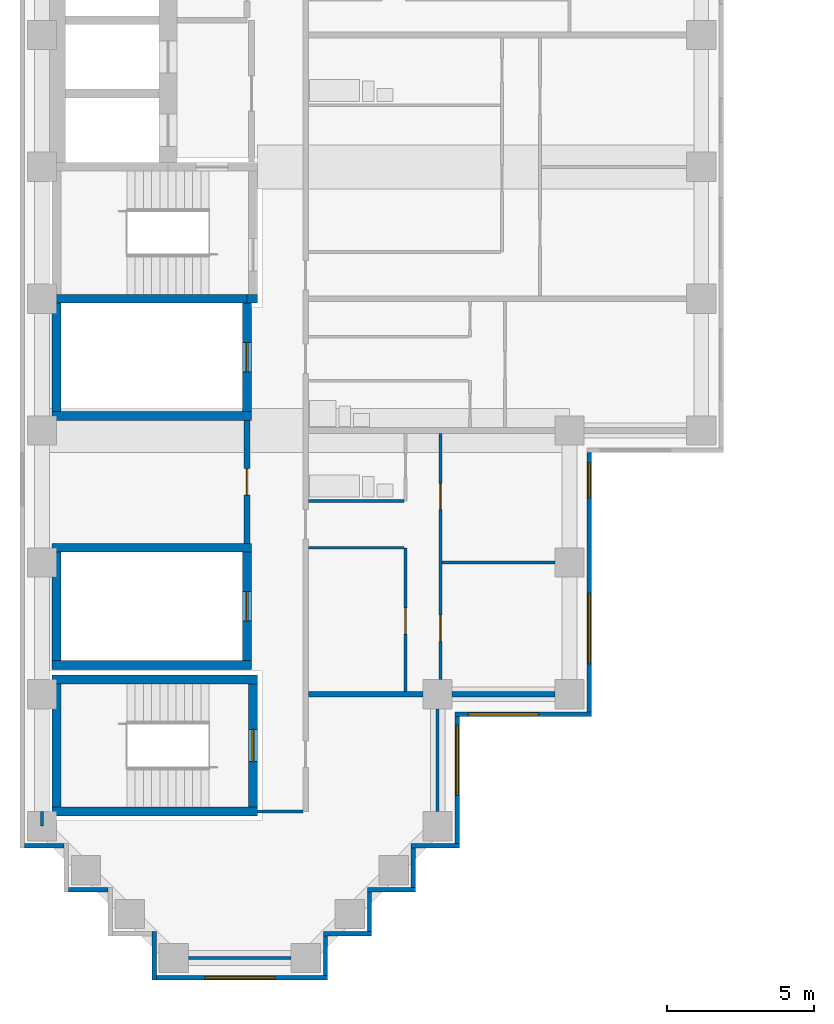
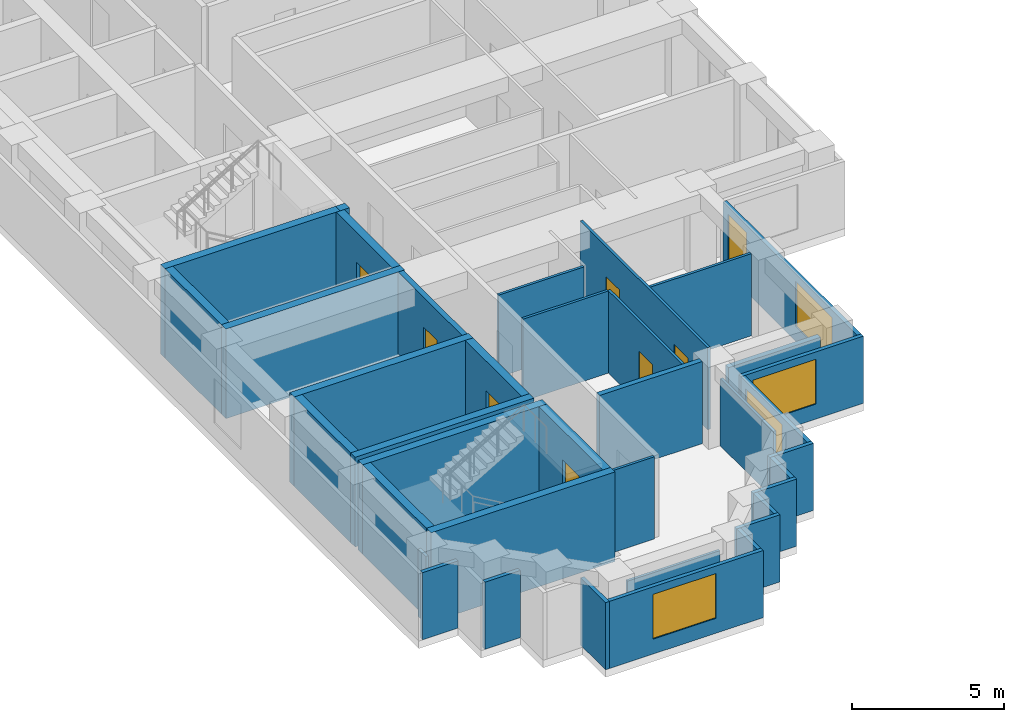
# One storey, part 2 of 12: 38 walls, 7 doors, 5 windows, 12 openings.
"""IFC4 building model written with IfcOpenShell, lengths in metres."""

from ifc_helpers import new_model, si_unit, direction, frame, frame_2d, origin, place, context, subcontext, project, spatial, rectangle, extrude, material, layer, layer_set, type_object, element, fill, save


model = new_model("IFC4")

# Units and contexts
model_context = context("Model", 3, precision=1e-05, world=origin(), true_north=direction((0.0, 1.0)))
body_context = subcontext(model_context, "Body", "Model", "MODEL_VIEW")
ifc_project = project(units=[si_unit("LENGTHUNIT", "METRE"), si_unit("AREAUNIT", "SQUARE_METRE"), si_unit("VOLUMEUNIT", "CUBIC_METRE"), si_unit("PLANEANGLEUNIT", "RADIAN"), si_unit("MASSUNIT", "GRAM", prefix="KILO")], contexts=[model_context])

# Site, building, storey
site_placement = place(None, origin())
site = spatial("IfcSite", under=ifc_project, at=site_placement, CompositionType="ELEMENT")
building_placement = place(site_placement, origin())
building = spatial("IfcBuilding", under=site, at=building_placement, Name="Firuza Court", CompositionType="ELEMENT")
storey_placement = place(building_placement, frame((0.0, 0.0, 123.199951171875)))
storey = spatial("IfcBuildingStorey", under=building, at=storey_placement, Name="L30", CompositionType="ELEMENT", Elevation=123.199951171875)

# Walls
ifc_material_1 = material(Name="Moisture-resistant gypsum board partition")
ifc_layer_1 = layer(ifc_material_1, 0.10009765625)
ifc_layer_set_1 = layer_set([ifc_layer_1], Name="Moisture-resistant gypsum board partition")
wall_type_1 = type_object("IfcWallType", Name="Bathroom partition 100", PredefinedType="PLUMBINGWALL", material=ifc_layer_set_1)
wall_1_placement = place(storey_placement, frame((9.10009765625, 15.60009765625, 0.0), z_axis=(0.0, 0.0, 1.0), x_axis=(1.0, 0.0, 0.0)))
element("IfcWall", 1, at=wall_1_placement, inside=storey, type_object=wall_type_1, Name="Bathroom partition 100 L30", PredefinedType="PLUMBINGWALL", context=body_context, shape_type="SweptSolid", body=[
    extrude(rectangle(XDim=3.25, YDim=0.10009765625, at=frame_2d((1.625, 0.0))), origin(), (0.0, 0.0, 1.0), 3.300048828125),
])
ifc_material_2 = material(Name="Concrete C60/75", Category="concrete")
ifc_layer_2 = layer(ifc_material_2, 0.300048828125)
ifc_layer_set_2 = layer_set([ifc_layer_2], Name="Concrete C60/75")
wall_type_2 = type_object("IfcWallType", Name="Core wall 300 C60/75", PredefinedType="SHEAR", material=ifc_layer_set_2)
for number, where, z_axis, x_axis, name in (
    (2, (0.35009765625, 5.0, -0.300048828125), (0.0, 0.0, 1.0), (1.0, 0.0, 0.0), "Core wall stair L30"),
    (3, (0.35009765625, 9.5, -0.300048828125), (0.0, 0.0, 1.0), (1.0, 0.0, 0.0), "Core wall stair L30"),
):
    element("IfcWall", number, at=place(storey_placement, frame(where, z_axis=z_axis, x_axis=x_axis)), inside=storey, type_object=wall_type_2, Name=name, PredefinedType="SHEAR", context=body_context, shape_type="SweptSolid", body=[
        extrude(rectangle(XDim=7.0, YDim=0.300048828125, at=frame_2d((3.5, 0.0))), origin(), (0.0, 0.0, 1.0), 3.60009765625),
    ])
for number, where, z_axis, x_axis, name in (
    (4, (0.35009765625, 10.0, -0.300048828125), (0.0, 0.0, 1.0), (1.0, 0.0, 0.0), "Core wall riser L30"),
    (5, (0.35009765625, 14.0, -0.300048828125), (0.0, 0.0, 1.0), (1.0, 0.0, 0.0), "Core wall riser L30"),
    (6, (0.35009765625, 18.5, -0.300048828125), (0.0, 0.0, 1.0), (1.0, 0.0, 0.0), "Core wall riser L30"),
):
    element("IfcWall", number, at=place(storey_placement, frame(where, z_axis=z_axis, x_axis=x_axis)), inside=storey, type_object=wall_type_2, Name=name, PredefinedType="SHEAR", context=body_context, shape_type="SweptSolid", body=[
        extrude(rectangle(XDim=6.7998046875, YDim=0.300048828125, at=frame_2d((3.39990234375, 0.0))), origin(), (0.0, 0.0, 1.0), 3.60009765625),
    ])
wall_2_placement = place(storey_placement, frame((0.35009765625, 22.5, -0.300048828125), z_axis=(0.0, 0.0, 1.0), x_axis=(1.0, 0.0, 0.0)))
element("IfcWall", 7, at=wall_2_placement, inside=storey, type_object=wall_type_2, Name="Core wall riser L30", PredefinedType="SHEAR", context=body_context, shape_type="SweptSolid", body=[
    extrude(rectangle(XDim=6.64990234375, YDim=0.300048828125, at=frame_2d((3.324951171875, 0.0))), origin(), (0.0, 0.0, 1.0), 3.60009765625),
])
wall_3_placement = place(storey_placement, frame((0.5, 5.14990234375, -0.300048828125), z_axis=(0.0, 0.0, 1.0), x_axis=(0.0, 1.0, 0.0)))
element("IfcWall", 8, at=wall_3_placement, inside=storey, type_object=wall_type_2, Name="Core wall stair L30", PredefinedType="SHEAR", context=body_context, shape_type="SweptSolid", body=[
    extrude(rectangle(XDim=4.2001953125, YDim=0.300048828125, at=frame_2d((2.10009765625, 0.0))), origin(), (0.0, 0.0, 1.0), 3.60009765625),
])
for number, where, z_axis, x_axis, name in (
    (9, (0.5, 10.14990234375, -0.300048828125), (0.0, 0.0, 1.0), (0.0, 1.0, 0.0), "Core wall riser L30"),
    (10, (0.5, 18.64990234375, -0.300048828125), (0.0, 0.0, 1.0), (0.0, 1.0, 0.0), "Core wall riser L30"),
):
    element("IfcWall", number, at=place(storey_placement, frame(where, z_axis=z_axis, x_axis=x_axis)), inside=storey, type_object=wall_type_2, Name=name, PredefinedType="SHEAR", context=body_context, shape_type="SweptSolid", body=[
        extrude(rectangle(XDim=3.7001953125, YDim=0.300048828125, at=frame_2d((1.85009765625, 0.0))), origin(), (0.0, 0.0, 1.0), 3.60009765625),
    ])

# Wall, opening, door
wall_4_placement = place(storey_placement, frame((7.0, 10.14990234375, -0.300048828125), z_axis=(0.0, 0.0, 1.0), x_axis=(0.0, 1.0, 0.0)))
wall_4 = element("IfcWall", 11, at=wall_4_placement, inside=storey, type_object=wall_type_2, Name="Core wall riser L30", PredefinedType="SHEAR", context=body_context, shape_type="SweptSolid", body=[
    extrude(rectangle(XDim=3.7001953125, YDim=0.300048828125, at=frame_2d((1.85009765625, 0.0))), origin(), (0.0, 0.0, 1.0), 3.60009765625),
])
opening_1_placement = place(wall_4_placement, frame((1.35009765625, 0.0, 0.300048828125)))
opening_1 = element("IfcOpeningElement", 12, at=opening_1_placement, cuts=wall_4, Name="Opening D30011", PredefinedType="OPENING", context=body_context, shape_type="SweptSolid", body=[
    extrude(rectangle(XDim=1.0, YDim=2.10009765625, at=frame_2d((0.5, 1.050048828125))), frame((0.0, 0.162109375, 0.0), z_axis=(0.0, -1.0, 0.0), x_axis=(1.0, 0.0, 0.0)), (0.0, 0.0, 1.0), 0.323974609375),
])
ifc_material_3 = material(Name="Timber door leaf in hardwood frame", Category="wood")
door_type_1 = type_object("IfcDoorType", Name="Riser door 1000", OperationType="SINGLE_SWING_LEFT", PredefinedType="DOOR", material=ifc_material_3)
door_1_placement = place(opening_1_placement, origin())
door_1 = element("IfcDoor", 13, at=door_1_placement, inside=storey, type_object=door_type_1, Name="Riser door R4", OperationType="SINGLE_SWING_LEFT", OverallHeight=2.10009765625, OverallWidth=1.0, PredefinedType="DOOR", context=body_context, shape_type="SweptSolid", body=[
    extrude(rectangle(XDim=1.0, YDim=2.10009765625, at=frame_2d((0.5, 1.050048828125))), frame((0.0, 0.02490234375, 0.0), z_axis=(0.0, -1.0, 0.0), x_axis=(1.0, 0.0, 0.0)), (0.0, 0.0, 1.0), 0.050048828125),
])
fill(opening_1, door_1)

wall_5_placement = place(storey_placement, frame((7.0, 18.64990234375, -0.300048828125), z_axis=(0.0, 0.0, 1.0), x_axis=(0.0, 1.0, 0.0)))
wall_5 = element("IfcWall", 14, at=wall_5_placement, inside=storey, type_object=wall_type_2, Name="Core wall riser L30", PredefinedType="SHEAR", context=body_context, shape_type="SweptSolid", body=[
    extrude(rectangle(XDim=3.7001953125, YDim=0.300048828125, at=frame_2d((1.85009765625, 0.0))), origin(), (0.0, 0.0, 1.0), 3.60009765625),
])
opening_2_placement = place(wall_5_placement, frame((1.35009765625, 0.0, 0.300048828125)))
opening_2 = element("IfcOpeningElement", 15, at=opening_2_placement, cuts=wall_5, Name="Opening D30009", PredefinedType="OPENING", context=body_context, shape_type="SweptSolid", body=[
    extrude(rectangle(XDim=1.0, YDim=2.10009765625, at=frame_2d((0.5, 1.050048828125))), frame((0.0, 0.162109375, 0.0), z_axis=(0.0, -1.0, 0.0), x_axis=(1.0, 0.0, 0.0)), (0.0, 0.0, 1.0), 0.323974609375),
])
door_2_placement = place(opening_2_placement, origin())
door_2 = element("IfcDoor", 16, at=door_2_placement, inside=storey, type_object=door_type_1, Name="Riser door R1", OperationType="SINGLE_SWING_LEFT", OverallHeight=2.10009765625, OverallWidth=1.0, PredefinedType="DOOR", context=body_context, shape_type="SweptSolid", body=[
    extrude(rectangle(XDim=1.0, YDim=2.10009765625, at=frame_2d((0.5, 1.050048828125))), frame((0.0, 0.02490234375, 0.0), z_axis=(0.0, -1.0, 0.0), x_axis=(1.0, 0.0, 0.0)), (0.0, 0.0, 1.0), 0.050048828125),
])
fill(opening_2, door_2)

# Wall
wall_6_placement = place(storey_placement, frame((7.0, 22.5, -0.300048828125), z_axis=(0.0, 0.0, 1.0), x_axis=(1.0, 0.0, 0.0)))
element("IfcWall", 17, at=wall_6_placement, inside=storey, type_object=wall_type_2, Name="Core wall stair L30", PredefinedType="SHEAR", context=body_context, shape_type="SweptSolid", body=[
    extrude(rectangle(XDim=0.35009765625, YDim=0.300048828125, at=frame_2d((0.175048828125, 0.0))), origin(), (0.0, 0.0, 1.0), 3.60009765625),
])

# Wall, opening, door
wall_7_placement = place(storey_placement, frame((7.199951171875, 5.14990234375, -0.300048828125), z_axis=(0.0, 0.0, 1.0), x_axis=(0.0, 1.0, 0.0)))
wall_7 = element("IfcWall", 18, at=wall_7_placement, inside=storey, type_object=wall_type_2, Name="Core wall stair L30", PredefinedType="SHEAR", context=body_context, shape_type="SweptSolid", body=[
    extrude(rectangle(XDim=4.2001953125, YDim=0.300048828125, at=frame_2d((2.10009765625, 0.0))), origin(), (0.0, 0.0, 1.0), 3.60009765625),
])
opening_3_placement = place(wall_7_placement, frame((1.550048828125, 0.0, 0.300048828125)))
opening_3 = element("IfcOpeningElement", 19, at=opening_3_placement, cuts=wall_7, Name="Opening D30017", PredefinedType="OPENING", context=body_context, shape_type="SweptSolid", body=[
    extrude(rectangle(XDim=1.10009765625, YDim=2.10009765625, at=frame_2d((0.550048828125, 1.050048828125))), frame((0.0, 0.162109375, 0.0), z_axis=(0.0, -1.0, 0.0), x_axis=(1.0, 0.0, 0.0)), (0.0, 0.0, 1.0), 0.323974609375),
])
ifc_material_4 = material(Name="Timber door leaf in hardwood frame", Category="wood")
door_type_2 = type_object("IfcDoorType", Name="Stair door 1100", OperationType="SINGLE_SWING_LEFT", PredefinedType="DOOR", material=ifc_material_4)
door_3_placement = place(opening_3_placement, origin())
door_3 = element("IfcDoor", 20, at=door_3_placement, inside=storey, type_object=door_type_2, Name="Stair door S5", OperationType="SINGLE_SWING_LEFT", OverallHeight=2.10009765625, OverallWidth=1.10009765625, PredefinedType="DOOR", context=body_context, shape_type="SweptSolid", body=[
    extrude(rectangle(XDim=1.10009765625, YDim=2.10009765625, at=frame_2d((0.550048828125, 1.050048828125))), frame((0.0, 0.02490234375, 0.0), z_axis=(0.0, -1.0, 0.0), x_axis=(1.0, 0.0, 0.0)), (0.0, 0.0, 1.0), 0.050048828125),
])
fill(opening_3, door_3)

ifc_material_5 = material(Name="Blockwork, plastered both sides", Category="masonry")
ifc_layer_3 = layer(ifc_material_5, 0.199951171875)
ifc_layer_set_3 = layer_set([ifc_layer_3], Name="Blockwork, plastered both sides")
wall_type_3 = type_object("IfcWallType", Name="Corridor wall 200", PredefinedType="PARTITIONING", material=ifc_layer_set_3)
wall_8_placement = place(storey_placement, frame((7.0, 14.14990234375, 0.0), z_axis=(0.0, 0.0, 1.0), x_axis=(0.0, 1.0, 0.0)))
wall_8 = element("IfcWall", 21, at=wall_8_placement, inside=storey, type_object=wall_type_3, Name="Corridor wall 200 L30", PredefinedType="PARTITIONING", context=body_context, shape_type="SweptSolid", body=[
    extrude(rectangle(XDim=4.2001953125, YDim=0.199951171875, at=frame_2d((2.10009765625, 0.0))), origin(), (0.0, 0.0, 1.0), 3.300048828125),
])
opening_4_placement = place(wall_8_placement, frame((1.64990234375, 0.0, 0.0)))
opening_4 = element("IfcOpeningElement", 22, at=opening_4_placement, cuts=wall_8, Name="Opening D30025", PredefinedType="OPENING", context=body_context, shape_type="SweptSolid", body=[
    extrude(rectangle(XDim=0.89990234375, YDim=2.10009765625, at=frame_2d((0.449951171875, 1.050048828125))), frame((0.0, 0.11181640625, 0.0), z_axis=(0.0, -1.0, 0.0), x_axis=(1.0, 0.0, 0.0)), (0.0, 0.0, 1.0), 0.223876953125),
])
ifc_material_6 = material(Name="Timber door leaf in hardwood frame", Category="wood")
door_type_3 = type_object("IfcDoorType", Name="Room door 900 EI 30", OperationType="SINGLE_SWING_LEFT", PredefinedType="DOOR", material=ifc_material_6)
door_4_placement = place(opening_4_placement, origin())
door_4 = element("IfcDoor", 23, at=door_4_placement, inside=storey, type_object=door_type_3, Name="Meeting room door", OperationType="SINGLE_SWING_LEFT", OverallHeight=2.10009765625, OverallWidth=0.89990234375, PredefinedType="DOOR", context=body_context, shape_type="SweptSolid", body=[
    extrude(rectangle(XDim=0.89990234375, YDim=2.10009765625, at=frame_2d((0.449951171875, 1.050048828125))), frame((0.0, 0.02490234375, 0.0), z_axis=(0.0, -1.0, 0.0), x_axis=(1.0, 0.0, 0.0)), (0.0, 0.0, 1.0), 0.050048828125),
])
fill(opening_4, door_4)

# Walls
ifc_material_7 = material(Name="Timber stud partition, plasterboard both sides", Category="wood")
ifc_layer_4 = layer(ifc_material_7, 0.10009765625)
ifc_layer_set_4 = layer_set([ifc_layer_4], Name="Timber stud partition, plasterboard both sides")
wall_type_4 = type_object("IfcWallType", Name="Partition wall 100", PredefinedType="PARTITIONING", material=ifc_layer_set_4)
wall_9_placement = place(storey_placement, frame((5.0, 0.0, 0.0), z_axis=(0.0, 0.0, 1.0), x_axis=(1.0, 0.0, 0.0)))
element("IfcWall", 24, at=wall_9_placement, inside=storey, type_object=wall_type_4, Name="Partition wall 100 L30", PredefinedType="PARTITIONING", context=body_context, shape_type="SweptSolid", body=[
    extrude(rectangle(XDim=3.5, YDim=0.10009765625, at=frame_2d((1.75, 0.0))), origin(), (0.0, 0.0, 1.0), 2.699951171875),
])
wall_10_placement = place(storey_placement, frame((0.0, 4.5, 0.0), z_axis=(0.0, 0.0, 1.0), x_axis=(0.0, 1.0, 0.0)))
element("IfcWall", 25, at=wall_10_placement, inside=storey, type_object=wall_type_4, Name="Partition wall 100 L30", PredefinedType="PARTITIONING", context=body_context, shape_type="SweptSolid", body=[
    extrude(rectangle(XDim=0.5, YDim=0.10009765625, at=frame_2d((0.25, 0.0))), origin(), (0.0, 0.0, 1.0), 2.699951171875),
])
wall_11_placement = place(storey_placement, frame((7.34912109375, 5.0, 0.0), z_axis=(0.0, 0.0, 1.0), x_axis=(1.0, 0.0, 0.0)))
element("IfcWall", 26, at=wall_11_placement, inside=storey, type_object=wall_type_4, Name="Partition wall 100 L30", PredefinedType="PARTITIONING", context=body_context, shape_type="SweptSolid", body=[
    extrude(rectangle(XDim=1.55078125, YDim=0.10009765625, at=frame_2d((0.775390625, 0.0))), origin(), (0.0, 0.0, 1.0), 3.300048828125),
])
wall_12_placement = place(storey_placement, frame((13.5, 5.0, 0.0), z_axis=(0.0, 0.0, 1.0), x_axis=(0.0, 1.0, 0.0)))
element("IfcWall", 27, at=wall_12_placement, inside=storey, type_object=wall_type_4, Name="Partition wall 100 L30", PredefinedType="PARTITIONING", context=body_context, shape_type="SweptSolid", body=[
    extrude(rectangle(XDim=3.5, YDim=0.10009765625, at=frame_2d((1.75, 0.0))), origin(), (0.0, 0.0, 1.0), 2.699951171875),
])

# Wall, opening, door
wall_13_placement = place(storey_placement, frame((12.39990234375, 9.10009765625, 0.0), z_axis=(0.0, 0.0, 1.0), x_axis=(0.0, 1.0, 0.0)))
wall_13 = element("IfcWall", 28, at=wall_13_placement, inside=storey, type_object=wall_type_4, Name="Partition wall 100 L30", PredefinedType="PARTITIONING", context=body_context, shape_type="SweptSolid", body=[
    extrude(rectangle(XDim=4.89990234375, YDim=0.10009765625, at=frame_2d((2.449951171875, 0.0))), origin(), (0.0, 0.0, 1.0), 3.300048828125),
])
opening_5_placement = place(wall_13_placement, frame((1.949951171875, 0.0, 0.0)))
opening_5 = element("IfcOpeningElement", 29, at=opening_5_placement, cuts=wall_13, Name="Opening D30022", PredefinedType="OPENING", context=body_context, shape_type="SweptSolid", body=[
    extrude(rectangle(XDim=0.89990234375, YDim=2.10009765625, at=frame_2d((0.449951171875, 1.050048828125))), frame((0.0, 0.06201171875, 0.0), z_axis=(0.0, -1.0, 0.0), x_axis=(1.0, 0.0, 0.0)), (0.0, 0.0, 1.0), 0.1240234375),
])
ifc_material_8 = material(Name="Timber door leaf in hardwood frame", Category="wood")
door_type_4 = type_object("IfcDoorType", Name="Room door 900", OperationType="SINGLE_SWING_LEFT", PredefinedType="DOOR", material=ifc_material_8)
door_5_placement = place(opening_5_placement, origin())
door_5 = element("IfcDoor", 30, at=door_5_placement, inside=storey, type_object=door_type_4, Name="Kitchen door", OperationType="SINGLE_SWING_LEFT", OverallHeight=2.10009765625, OverallWidth=0.89990234375, PredefinedType="DOOR", context=body_context, shape_type="SweptSolid", body=[
    extrude(rectangle(XDim=0.89990234375, YDim=2.10009765625, at=frame_2d((0.449951171875, 1.050048828125))), frame((0.0, 0.02490234375, 0.0), z_axis=(0.0, -1.0, 0.0), x_axis=(1.0, 0.0, 0.0)), (0.0, 0.0, 1.0), 0.050048828125),
])
fill(opening_5, door_5)

# Wall, openings, doors
wall_14_placement = place(storey_placement, frame((13.60009765625, 9.5, 0.0), z_axis=(0.0, 0.0, 1.0), x_axis=(0.0, 1.0, 0.0)))
wall_14 = element("IfcWall", 31, at=wall_14_placement, inside=storey, type_object=wall_type_4, Name="Partition wall 100 L30", PredefinedType="PARTITIONING", context=body_context, shape_type="SweptSolid", body=[
    extrude(rectangle(XDim=8.39990234375, YDim=0.10009765625, at=frame_2d((4.199951171875, 0.0))), origin(), (0.0, 0.0, 1.0), 3.300048828125),
])
opening_6_placement = place(wall_14_placement, frame((1.300048828125, 0.0, 0.0)))
opening_6 = element("IfcOpeningElement", 32, at=opening_6_placement, cuts=wall_14, Name="Opening D30023", PredefinedType="OPENING", context=body_context, shape_type="SweptSolid", body=[
    extrude(rectangle(XDim=0.89990234375, YDim=2.10009765625, at=frame_2d((0.449951171875, 1.050048828125))), frame((0.0, 0.06201171875, 0.0), z_axis=(0.0, -1.0, 0.0), x_axis=(1.0, 0.0, 0.0)), (0.0, 0.0, 1.0), 0.1240234375),
])
opening_7_placement = place(wall_14_placement, frame((5.800048828125, 0.0, 0.0)))
opening_7 = element("IfcOpeningElement", 33, at=opening_7_placement, cuts=wall_14, Name="Opening D30024", PredefinedType="OPENING", context=body_context, shape_type="SweptSolid", body=[
    extrude(rectangle(XDim=0.89990234375, YDim=2.10009765625, at=frame_2d((0.449951171875, 1.050048828125))), frame((0.0, 0.06201171875, 0.0), z_axis=(0.0, -1.0, 0.0), x_axis=(1.0, 0.0, 0.0)), (0.0, 0.0, 1.0), 0.1240234375),
])
door_6_placement = place(opening_6_placement, frame((0.89990234375, 0.0, 0.0), z_axis=(0.0, 0.0, 1.0), x_axis=(-1.0, 0.0, 0.0)))
door_6 = element("IfcDoor", 34, at=door_6_placement, inside=storey, type_object=door_type_4, Name="Living room door", OperationType="SINGLE_SWING_RIGHT", OverallHeight=2.10009765625, OverallWidth=0.89990234375, PredefinedType="DOOR", context=body_context, shape_type="SweptSolid", body=[
    extrude(rectangle(XDim=0.89990234375, YDim=2.10009765625, at=frame_2d((0.449951171875, 1.050048828125))), frame((0.0, 0.02490234375, 0.0), z_axis=(0.0, -1.0, 0.0), x_axis=(1.0, 0.0, 0.0)), (0.0, 0.0, 1.0), 0.050048828125),
])
fill(opening_6, door_6)
door_7_placement = place(opening_7_placement, frame((0.89990234375, 0.0, 0.0), z_axis=(0.0, 0.0, 1.0), x_axis=(-1.0, 0.0, 0.0)))
door_7 = element("IfcDoor", 35, at=door_7_placement, inside=storey, type_object=door_type_4, Name="Bedroom door", OperationType="SINGLE_SWING_RIGHT", OverallHeight=2.10009765625, OverallWidth=0.89990234375, PredefinedType="DOOR", context=body_context, shape_type="SweptSolid", body=[
    extrude(rectangle(XDim=0.89990234375, YDim=2.10009765625, at=frame_2d((0.449951171875, 1.050048828125))), frame((0.0, 0.02490234375, 0.0), z_axis=(0.0, -1.0, 0.0), x_axis=(1.0, 0.0, 0.0)), (0.0, 0.0, 1.0), 0.050048828125),
])
fill(opening_7, door_7)

# Walls
wall_15_placement = place(storey_placement, frame((13.64990234375, 13.5, 0.0), z_axis=(0.0, 0.0, 1.0), x_axis=(1.0, 0.0, 0.0)))
element("IfcWall", 36, at=wall_15_placement, inside=storey, type_object=wall_type_4, Name="Partition wall 100 L30", PredefinedType="PARTITIONING", context=body_context, shape_type="SweptSolid", body=[
    extrude(rectangle(XDim=3.85009765625, YDim=0.10009765625, at=frame_2d((1.925048828125, 0.0))), origin(), (0.0, 0.0, 1.0), 3.300048828125),
])
wall_16_placement = place(storey_placement, frame((9.10009765625, 14.0, 0.0), z_axis=(0.0, 0.0, 1.0), x_axis=(1.0, 0.0, 0.0)))
element("IfcWall", 37, at=wall_16_placement, inside=storey, type_object=wall_type_4, Name="Partition wall 100 L30", PredefinedType="PARTITIONING", context=body_context, shape_type="SweptSolid", body=[
    extrude(rectangle(XDim=3.25, YDim=0.10009765625, at=frame_2d((1.625, 0.0))), origin(), (0.0, 0.0, 1.0), 3.300048828125),
])
ifc_layer_5 = layer(ifc_material_5, 0.199951171875)
ifc_layer_set_5 = layer_set([ifc_layer_5], Name="Blockwork, plastered both sides")
wall_type_5 = type_object("IfcWallType", Name="Party wall 200", PredefinedType="PARTITIONING", material=ifc_layer_set_5)
wall_17_placement = place(storey_placement, frame((9.10009765625, 9.0, 0.0), z_axis=(0.0, 0.0, 1.0), x_axis=(1.0, 0.0, 0.0)))
element("IfcWall", 38, at=wall_17_placement, inside=storey, type_object=wall_type_5, Name="Party wall 200 L30", PredefinedType="PARTITIONING", context=body_context, shape_type="SweptSolid", body=[
    extrude(rectangle(XDim=3.89990234375, YDim=0.199951171875, at=frame_2d((1.949951171875, 0.0))), origin(), (0.0, 0.0, 1.0), 3.300048828125),
])
wall_18_placement = place(storey_placement, frame((14.0, 9.0, 0.0), z_axis=(0.0, 0.0, 1.0), x_axis=(1.0, 0.0, 0.0)))
element("IfcWall", 39, at=wall_18_placement, inside=storey, type_object=wall_type_5, Name="Party wall 200 L30", PredefinedType="PARTITIONING", context=body_context, shape_type="SweptSolid", body=[
    extrude(rectangle(XDim=3.5, YDim=0.199951171875, at=frame_2d((1.75, 0.0))), origin(), (0.0, 0.0, 1.0), 2.699951171875),
])
ifc_material_9 = material(Name="Ceramic tile", Category="ceramic")
ifc_layer_6 = layer(ifc_material_9, 0.02001953125)
ifc_material_10 = material(Name="Mineral wool insulation", Category="insulation")
ifc_layer_7 = layer(ifc_material_10, 0.050048828125)
ifc_material_11 = material(Name="Concrete C40/50 precast", Category="concrete")
ifc_layer_8 = layer(ifc_material_11, 0.080078125)
ifc_layer_set_6 = layer_set([ifc_layer_6, ifc_layer_7, ifc_layer_8], Name="Concrete C40/50 precast")
wall_type_6 = type_object("IfcWallType", Name="Precast cladding wall with turquoise TILE PANEL face 150", PredefinedType="STANDARD", material=ifc_layer_set_6)
wall_19_placement = place(storey_placement, frame((9.675048828125, -0.60009765625, 0.0), z_axis=(0.0, 0.0, 1.0), x_axis=(0.0, 1.0, 0.0)))
element("IfcWall", 40, at=wall_19_placement, inside=storey, type_object=wall_type_6, Name="Facade wall L30 E", PredefinedType="STANDARD", context=body_context, shape_type="SweptSolid", body=[
    extrude(rectangle(XDim=1.35009765625, YDim=0.14990234375, at=frame_2d((0.675048828125, 0.0))), origin(), (0.0, 0.0, 1.0), 2.699951171875),
])
wall_20_placement = place(storey_placement, frame((9.60009765625, 0.824951171875, 0.0), z_axis=(0.0, 0.0, 1.0), x_axis=(1.0, 0.0, 0.0)))
element("IfcWall", 41, at=wall_20_placement, inside=storey, type_object=wall_type_6, Name="Facade wall L30 S", PredefinedType="STANDARD", context=body_context, shape_type="SweptSolid", body=[
    extrude(rectangle(XDim=1.64990234375, YDim=0.14990234375, at=frame_2d((0.824951171875, 0.0))), origin(), (0.0, 0.0, 1.0), 2.699951171875),
])
wall_21_placement = place(storey_placement, frame((11.175048828125, 0.89990234375, 0.0), z_axis=(0.0, 0.0, 1.0), x_axis=(0.0, 1.0, 0.0)))
element("IfcWall", 42, at=wall_21_placement, inside=storey, type_object=wall_type_6, Name="Facade wall L30 E", PredefinedType="STANDARD", context=body_context, shape_type="SweptSolid", body=[
    extrude(rectangle(XDim=1.35009765625, YDim=0.14990234375, at=frame_2d((0.675048828125, 0.0))), origin(), (0.0, 0.0, 1.0), 2.699951171875),
])
wall_22_placement = place(storey_placement, frame((11.10009765625, 2.324951171875, 0.0), z_axis=(0.0, 0.0, 1.0), x_axis=(1.0, 0.0, 0.0)))
element("IfcWall", 43, at=wall_22_placement, inside=storey, type_object=wall_type_6, Name="Facade wall L30 S", PredefinedType="STANDARD", context=body_context, shape_type="SweptSolid", body=[
    extrude(rectangle(XDim=1.64990234375, YDim=0.14990234375, at=frame_2d((0.824951171875, 0.0))), origin(), (0.0, 0.0, 1.0), 2.699951171875),
])
wall_23_placement = place(storey_placement, frame((12.675048828125, 2.39990234375, 0.0), z_axis=(0.0, 0.0, 1.0), x_axis=(0.0, 1.0, 0.0)))
element("IfcWall", 44, at=wall_23_placement, inside=storey, type_object=wall_type_6, Name="Facade wall L30 E", PredefinedType="STANDARD", context=body_context, shape_type="SweptSolid", body=[
    extrude(rectangle(XDim=1.35009765625, YDim=0.14990234375, at=frame_2d((0.675048828125, 0.0))), origin(), (0.0, 0.0, 1.0), 2.699951171875),
])
wall_24_placement = place(storey_placement, frame((12.60009765625, 3.824951171875, 0.0), z_axis=(0.0, 0.0, 1.0), x_axis=(1.0, 0.0, 0.0)))
element("IfcWall", 45, at=wall_24_placement, inside=storey, type_object=wall_type_6, Name="Facade wall L30 S", PredefinedType="STANDARD", context=body_context, shape_type="SweptSolid", body=[
    extrude(rectangle(XDim=1.64990234375, YDim=0.14990234375, at=frame_2d((0.824951171875, 0.0))), origin(), (0.0, 0.0, 1.0), 2.699951171875),
])

# Wall, opening, window
wall_25_placement = place(storey_placement, frame((14.175048828125, 3.89990234375, 0.0), z_axis=(0.0, 0.0, 1.0), x_axis=(0.0, 1.0, 0.0)))
wall_25 = element("IfcWall", 46, at=wall_25_placement, inside=storey, type_object=wall_type_6, Name="Facade wall L30 E", PredefinedType="STANDARD", context=body_context, shape_type="SweptSolid", body=[
    extrude(rectangle(XDim=4.35009765625, YDim=0.14990234375, at=frame_2d((2.175048828125, 0.0))), origin(), (0.0, 0.0, 1.0), 2.699951171875),
])
opening_8_placement = place(wall_25_placement, frame((1.64990234375, 0.0, 0.60009765625)))
opening_8 = element("IfcOpeningElement", 47, at=opening_8_placement, cuts=wall_25, Name="Opening W1", PredefinedType="OPENING", context=body_context, shape_type="SweptSolid", body=[
    extrude(rectangle(XDim=2.39990234375, YDim=1.800048828125, at=frame_2d((1.199951171875, 0.89990234375))), frame((0.0, 0.0869140625, 0.0), z_axis=(0.0, -1.0, 0.0), x_axis=(1.0, 0.0, 0.0)), (0.0, 0.0, 1.0), 0.173828125),
])
ifc_material_12 = material(Name="Aluminium frame, triple clear glazing", Category="aluminium")
window_type_1 = type_object("IfcWindowType", Name="Window W1 2400 x 1800", PartitioningType="SINGLE_PANEL", PredefinedType="WINDOW", material=ifc_material_12)
window_1_placement = place(opening_8_placement, origin())
window_1 = element("IfcWindow", 48, at=window_1_placement, inside=storey, type_object=window_type_1, Name="Window L30", OverallHeight=1.800048828125, OverallWidth=2.39990234375, PartitioningType="SINGLE_PANEL", PredefinedType="WINDOW", context=body_context, shape_type="SweptSolid", body=[
    extrude(rectangle(XDim=2.39990234375, YDim=1.800048828125, at=frame_2d((1.199951171875, 0.89990234375))), frame((0.0, 0.030029296875, 0.0), z_axis=(0.0, -1.0, 0.0), x_axis=(1.0, 0.0, 0.0)), (0.0, 0.0, 1.0), 0.06005859375),
])
fill(opening_8, window_1)

wall_26_placement = place(storey_placement, frame((14.10009765625, 8.324951171875, 0.0), z_axis=(0.0, 0.0, 1.0), x_axis=(1.0, 0.0, 0.0)))
wall_26 = element("IfcWall", 49, at=wall_26_placement, inside=storey, type_object=wall_type_6, Name="Facade wall L30 S", PredefinedType="STANDARD", context=body_context, shape_type="SweptSolid", body=[
    extrude(rectangle(XDim=4.64990234375, YDim=0.14990234375, at=frame_2d((2.324951171875, 0.0))), origin(), (0.0, 0.0, 1.0), 2.699951171875),
])
opening_9_placement = place(wall_26_placement, frame((0.449951171875, 0.0, 0.60009765625)))
opening_9 = element("IfcOpeningElement", 50, at=opening_9_placement, cuts=wall_26, Name="Opening W1", PredefinedType="OPENING", context=body_context, shape_type="SweptSolid", body=[
    extrude(rectangle(XDim=2.39990234375, YDim=1.800048828125, at=frame_2d((1.199951171875, 0.89990234375))), frame((0.0, 0.0869140625, 0.0), z_axis=(0.0, -1.0, 0.0), x_axis=(1.0, 0.0, 0.0)), (0.0, 0.0, 1.0), 0.173828125),
])
window_2_placement = place(opening_9_placement, origin())
window_2 = element("IfcWindow", 51, at=window_2_placement, inside=storey, type_object=window_type_1, Name="Window L30", OverallHeight=1.800048828125, OverallWidth=2.39990234375, PartitioningType="SINGLE_PANEL", PredefinedType="WINDOW", context=body_context, shape_type="SweptSolid", body=[
    extrude(rectangle(XDim=2.39990234375, YDim=1.800048828125, at=frame_2d((1.199951171875, 0.89990234375))), frame((0.0, 0.030029296875, 0.0), z_axis=(0.0, -1.0, 0.0), x_axis=(1.0, 0.0, 0.0)), (0.0, 0.0, 1.0), 0.06005859375),
])
fill(opening_9, window_2)

# Wall, openings, windows
wall_27_placement = place(storey_placement, frame((18.675048828125, 8.39990234375, 0.0), z_axis=(0.0, 0.0, 1.0), x_axis=(0.0, 1.0, 0.0)))
wall_27 = element("IfcWall", 52, at=wall_27_placement, inside=storey, type_object=wall_type_6, Name="Facade wall L30 E", PredefinedType="STANDARD", context=body_context, shape_type="SweptSolid", body=[
    extrude(rectangle(XDim=8.85009765625, YDim=0.14990234375, at=frame_2d((4.425048828125, 0.0))), origin(), (0.0, 0.0, 1.0), 2.699951171875),
])
opening_10_placement = place(wall_27_placement, frame((1.64990234375, 0.0, 0.60009765625)))
opening_10 = element("IfcOpeningElement", 53, at=opening_10_placement, cuts=wall_27, Name="Opening W1", PredefinedType="OPENING", context=body_context, shape_type="SweptSolid", body=[
    extrude(rectangle(XDim=2.39990234375, YDim=1.800048828125, at=frame_2d((1.199951171875, 0.89990234375))), frame((0.0, 0.0869140625, 0.0), z_axis=(0.0, -1.0, 0.0), x_axis=(1.0, 0.0, 0.0)), (0.0, 0.0, 1.0), 0.173828125),
])
opening_11_placement = place(wall_27_placement, frame((7.30224609375, 0.0, 0.60009765625)))
opening_11 = element("IfcOpeningElement", 54, at=opening_11_placement, cuts=wall_27, Name="Opening W8", PredefinedType="OPENING", context=body_context, shape_type="SweptSolid", body=[
    extrude(rectangle(XDim=1.199951171875, YDim=1.800048828125, at=frame_2d((0.60009765625, 0.89990234375))), frame((0.0, 0.0869140625, 0.0), z_axis=(0.0, -1.0, 0.0), x_axis=(1.0, 0.0, 0.0)), (0.0, 0.0, 1.0), 0.173828125),
])
window_3_placement = place(opening_10_placement, origin())
window_3 = element("IfcWindow", 55, at=window_3_placement, inside=storey, type_object=window_type_1, Name="Window L30", OverallHeight=1.800048828125, OverallWidth=2.39990234375, PartitioningType="SINGLE_PANEL", PredefinedType="WINDOW", context=body_context, shape_type="SweptSolid", body=[
    extrude(rectangle(XDim=2.39990234375, YDim=1.800048828125, at=frame_2d((1.199951171875, 0.89990234375))), frame((0.0, 0.030029296875, 0.0), z_axis=(0.0, -1.0, 0.0), x_axis=(1.0, 0.0, 0.0)), (0.0, 0.0, 1.0), 0.06005859375),
])
fill(opening_10, window_3)
ifc_material_13 = material(Name="Aluminium frame, triple clear glazing", Category="aluminium")
window_type_2 = type_object("IfcWindowType", Name="Window W8 1200 x 1800", PartitioningType="SINGLE_PANEL", PredefinedType="WINDOW", material=ifc_material_13)
window_4_placement = place(opening_11_placement, origin())
window_4 = element("IfcWindow", 56, at=window_4_placement, inside=storey, type_object=window_type_2, Name="Window L30", OverallHeight=1.800048828125, OverallWidth=1.199951171875, PartitioningType="SINGLE_PANEL", PredefinedType="WINDOW", context=body_context, shape_type="SweptSolid", body=[
    extrude(rectangle(XDim=1.199951171875, YDim=1.800048828125, at=frame_2d((0.60009765625, 0.89990234375))), frame((0.0, 0.030029296875, 0.0), z_axis=(0.0, -1.0, 0.0), x_axis=(1.0, 0.0, 0.0)), (0.0, 0.0, 1.0), 0.06005859375),
])
fill(opening_11, window_4)

# Walls
for number, where, z_axis, x_axis, name in (
    (57, (-0.60009765625, 3.824951171875, 0.0), (0.0, 0.0, 1.0), (1.0, 0.0, 0.0), "Facade wall L30 S"),
    (58, (0.89990234375, 2.324951171875, 0.0), (0.0, 0.0, 1.0), (1.0, 0.0, 0.0), "Facade wall L30 S"),
):
    element("IfcWall", number, at=place(storey_placement, frame(where, z_axis=z_axis, x_axis=x_axis)), inside=storey, type_object=wall_type_6, Name=name, PredefinedType="STANDARD", context=body_context, shape_type="SweptSolid", body=[
        extrude(rectangle(XDim=1.35009765625, YDim=0.14990234375, at=frame_2d((0.675048828125, 0.0))), origin(), (0.0, 0.0, 1.0), 2.699951171875),
    ])
wall_28_placement = place(storey_placement, frame((3.824951171875, 0.89990234375, 0.0), z_axis=(0.0, 0.0, 1.0), x_axis=(0.0, -1.0, 0.0)))
element("IfcWall", 59, at=wall_28_placement, inside=storey, type_object=wall_type_6, Name="Facade wall L30 W", PredefinedType="STANDARD", context=body_context, shape_type="SweptSolid", body=[
    extrude(rectangle(XDim=1.64990234375, YDim=0.14990234375, at=frame_2d((0.824951171875, 0.0))), origin(), (0.0, 0.0, 1.0), 2.699951171875),
])

# Wall, opening, window
wall_29_placement = place(storey_placement, frame((3.89990234375, -0.675048828125, 0.0), z_axis=(0.0, 0.0, 1.0), x_axis=(1.0, 0.0, 0.0)))
wall_29 = element("IfcWall", 60, at=wall_29_placement, inside=storey, type_object=wall_type_6, Name="Facade wall L30 S", PredefinedType="STANDARD", context=body_context, shape_type="SweptSolid", body=[
    extrude(rectangle(XDim=5.85009765625, YDim=0.14990234375, at=frame_2d((2.925048828125, 0.0))), origin(), (0.0, 0.0, 1.0), 2.699951171875),
])
opening_12_placement = place(wall_29_placement, frame((1.64990234375, 0.0, 0.60009765625)))
opening_12 = element("IfcOpeningElement", 61, at=opening_12_placement, cuts=wall_29, Name="Opening W1", PredefinedType="OPENING", context=body_context, shape_type="SweptSolid", body=[
    extrude(rectangle(XDim=2.39990234375, YDim=1.800048828125, at=frame_2d((1.199951171875, 0.89990234375))), frame((0.0, 0.0869140625, 0.0), z_axis=(0.0, -1.0, 0.0), x_axis=(1.0, 0.0, 0.0)), (0.0, 0.0, 1.0), 0.173828125),
])
window_5_placement = place(opening_12_placement, origin())
window_5 = element("IfcWindow", 62, at=window_5_placement, inside=storey, type_object=window_type_1, Name="Window L30", OverallHeight=1.800048828125, OverallWidth=2.39990234375, PartitioningType="SINGLE_PANEL", PredefinedType="WINDOW", context=body_context, shape_type="SweptSolid", body=[
    extrude(rectangle(XDim=2.39990234375, YDim=1.800048828125, at=frame_2d((1.199951171875, 0.89990234375))), frame((0.0, 0.030029296875, 0.0), z_axis=(0.0, -1.0, 0.0), x_axis=(1.0, 0.0, 0.0)), (0.0, 0.0, 1.0), 0.06005859375),
])
fill(opening_12, window_5)

save(model, "model.ifc")
